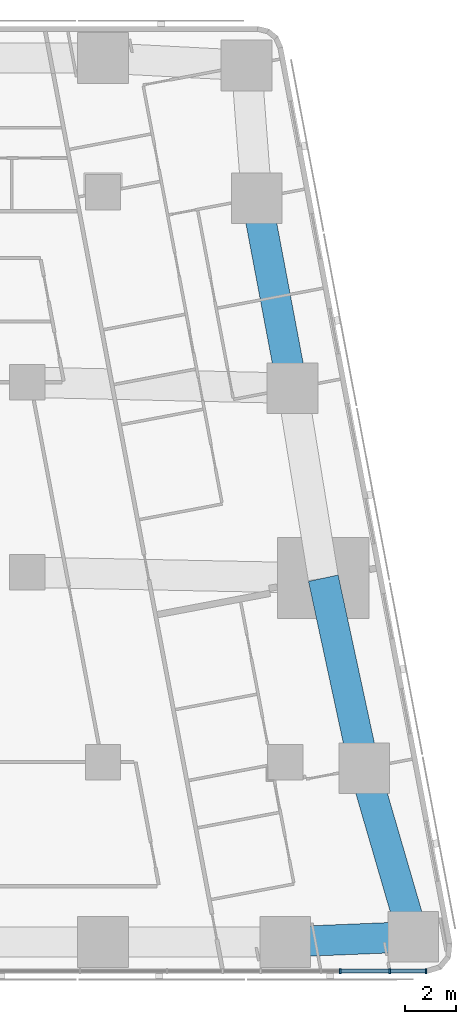
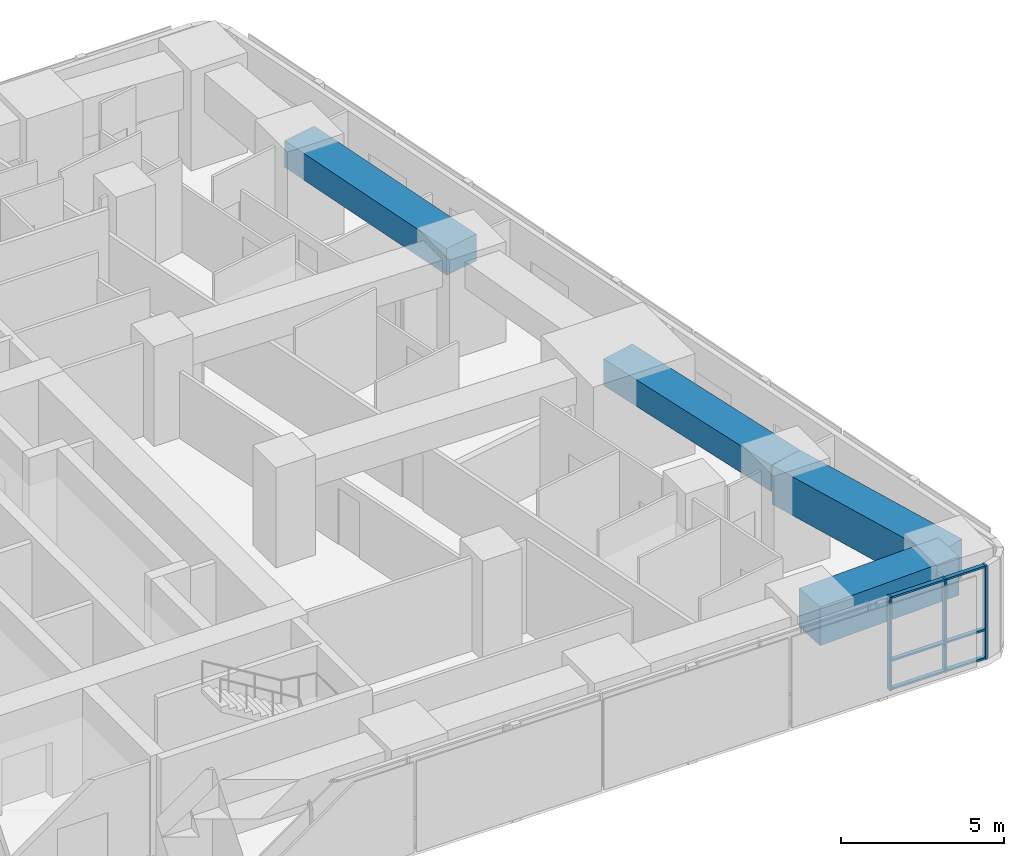
# One storey, part 3 of 10: 9 members, 4 beams, 1 element without a shape of its own.
"""IFC4 building model written with IfcOpenShell, lengths in metres."""

from ifc_helpers import new_model, si_unit, direction, frame, origin, origin_2d, place, context, subcontext, project, spatial, rectangle, extrude, material, material_profile, profile_set, type_object, element, aggregate, save


model = new_model("IFC4")

# Units and contexts
model_context = context("Model", 3, precision=1e-05, world=origin(), true_north=direction((0.0, 1.0)))
body_context = subcontext(model_context, "Body", "Model", "MODEL_VIEW")
ifc_project = project(units=[si_unit("LENGTHUNIT", "METRE"), si_unit("AREAUNIT", "SQUARE_METRE"), si_unit("VOLUMEUNIT", "CUBIC_METRE"), si_unit("PLANEANGLEUNIT", "RADIAN"), si_unit("MASSUNIT", "GRAM", prefix="KILO")], contexts=[model_context])

# Site, building, storey
site_placement = place(None, origin())
site = spatial("IfcSite", under=ifc_project, at=site_placement, CompositionType="ELEMENT")
building_placement = place(site_placement, origin())
building = spatial("IfcBuilding", under=site, at=building_placement, Name="Sheger Commons Tower", CompositionType="ELEMENT")
storey_placement = place(building_placement, frame((0.0, 0.0, 285.35009765625)))
storey = spatial("IfcBuildingStorey", under=building, at=storey_placement, Name="L73", CompositionType="ELEMENT", Elevation=285.35009765625)

# Curtain wall, members
ifc_material_1 = material(Name="Black aluminium curtain wall, dark tinted glazing", Category="aluminium")
curtain_wall_type = type_object("IfcCurtainWallType", Name="CURTAIN WALL CW5 SOUTH GALLERY", PredefinedType="USERDEFINED", material=ifc_material_1)
curtain_wall_placement = place(storey_placement, origin())
curtain_wall = element("IfcCurtainWall", 1, at=curtain_wall_placement, inside=storey, type_object=curtain_wall_type, Name="Curtain Wall Cw5 South Gallery S1 L73", ObjectType="UNITISED CURTAIN WALL", PredefinedType="USERDEFINED")
ifc_material_2 = material(Name="Black anodised aluminium", Category="aluminium")
ifc_material_profile_1 = material_profile(ifc_material_2, rectangle(XDim=0.199951171875, YDim=0.06494140625, at=origin_2d()), Name="AL 65x200")
ifc_profile_set_1 = profile_set([ifc_material_profile_1], Name="Black anodised aluminium")
member_type_1 = type_object("IfcMemberType", Name="MULLION AL 65x200", PredefinedType="MULLION", material=ifc_profile_set_1)
member_1_placement = place(storey_placement, frame((45.364990234375, 6.75, 0.0), z_axis=(0.0, 0.0, 1.0), x_axis=(0.0, 1.0, 0.0)))
member_1 = element("IfcMember", 2, at=member_1_placement, type_object=member_type_1, Name="CW5 mullion 12", PredefinedType="MULLION", context=body_context, shape_type="SweptSolid", body=[
    extrude(rectangle(XDim=0.199951171875, YDim=0.06494140625, at=origin_2d()), origin(), (0.0, 0.0, 1.0), 3.5),
])
member_2_placement = place(storey_placement, frame((47.319091796875, 6.75, 0.0), z_axis=(0.0, 0.0, 1.0), x_axis=(0.0, 1.0, 0.0)))
member_2 = element("IfcMember", 3, at=member_2_placement, type_object=member_type_1, Name="CW5 mullion 13", PredefinedType="MULLION", context=body_context, shape_type="SweptSolid", body=[
    extrude(rectangle(XDim=0.199951171875, YDim=0.06494140625, at=origin_2d()), origin(), (0.0, 0.0, 1.0), 3.5),
])
member_3_placement = place(storey_placement, frame((48.75439453125, 6.75, 0.0), z_axis=(0.0, 0.0, 1.0), x_axis=(0.0, 1.0, 0.0)))
member_3 = element("IfcMember", 4, at=member_3_placement, type_object=member_type_1, Name="CW5 mullion 14", PredefinedType="MULLION", context=body_context, shape_type="SweptSolid", body=[
    extrude(rectangle(XDim=0.199951171875, YDim=0.06494140625, at=origin_2d()), origin(), (0.0, 0.0, 1.0), 3.5),
])

# Beams
ifc_material_3 = material(Name="Concrete C50/60", Category="concrete")
ifc_material_profile_2 = material_profile(ifc_material_3, rectangle(XDim=1.199951171875, YDim=1.0, at=origin_2d()), Name="RC 1200x1000")
ifc_profile_set_2 = profile_set([ifc_material_profile_2], Name="Concrete C50/60")
beam_type_1 = type_object("IfcBeamType", Name="SPANDREL RC 1200x1000", PredefinedType="SPANDREL", material=ifc_profile_set_2)
beam_1_placement = place(storey_placement, frame((46.31396484375, 14.762939453125, 3.0), z_axis=(-0.210750229323, 0.977539943348, 0.0), x_axis=(-0.977539943348, -0.210750229323, 0.0)))
element("IfcBeam", 5, at=beam_1_placement, inside=storey, type_object=beam_type_1, Name="Beam E/C-E/D under L74", PredefinedType="SPANDREL", context=body_context, shape_type="SweptSolid", body=[
    extrude(rectangle(XDim=1.199951171875, YDim=1.0, at=origin_2d()), origin(), (0.0, 0.0, 1.0), 7.67236328125),
])
beam_2_placement = place(storey_placement, frame((43.47998046875, 29.762939453125, 3.0), z_axis=(-0.18552441405, 0.982639655108, 0.0), x_axis=(-0.982639655108, -0.18552441405, 0.0)))
element("IfcBeam", 6, at=beam_2_placement, inside=storey, type_object=beam_type_1, Name="Beam E/E-E/F under L74", PredefinedType="SPANDREL", context=body_context, shape_type="SweptSolid", body=[
    extrude(rectangle(XDim=1.199951171875, YDim=1.0, at=origin_2d()), origin(), (0.0, 0.0, 1.0), 7.632568359375),
])
ifc_material_4 = material(Name="Concrete C50/60", Category="concrete")
ifc_material_profile_3 = material_profile(ifc_material_4, rectangle(XDim=1.199951171875, YDim=1.449951171875, at=origin_2d()), Name="RC 1200x1450")
ifc_profile_set_3 = profile_set([ifc_material_profile_3], Name="Concrete C50/60")
beam_type_2 = type_object("IfcBeamType", Name="SPANDREL RC 1200x1450", PredefinedType="SPANDREL", material=ifc_profile_set_3)
beam_3_placement = place(storey_placement, frame((43.199951171875, 7.89990234375, 2.77490234375), z_axis=(0.999161374218, 0.040945674641, 0.0), x_axis=(-0.040945674641, 0.999161374218, 0.0)))
element("IfcBeam", 7, at=beam_3_placement, inside=storey, type_object=beam_type_2, Name="Beam 7/B-E/B under L74", PredefinedType="SPANDREL", context=body_context, shape_type="SweptSolid", body=[
    extrude(rectangle(XDim=1.199951171875, YDim=1.449951171875, at=origin_2d()), origin(), (0.0, 0.0, 1.0), 5.05615234375),
])
beam_4_placement = place(storey_placement, frame((48.251953125, 8.10693359375, 2.77490234375), z_axis=(-0.279555048455, 0.960129665662, 0.0), x_axis=(-0.960129665662, -0.279555048455, 0.0)))
element("IfcBeam", 8, at=beam_4_placement, inside=storey, type_object=beam_type_2, Name="Beam E/B-E/C under L74", PredefinedType="SPANDREL", context=body_context, shape_type="SweptSolid", body=[
    extrude(rectangle(XDim=1.199951171875, YDim=1.449951171875, at=origin_2d()), origin(), (0.0, 0.0, 1.0), 6.932373046875),
])

# Member
ifc_material_5 = material(Name="Black anodised aluminium", Category="aluminium")
ifc_material_profile_4 = material_profile(ifc_material_5, rectangle(XDim=0.14990234375, YDim=0.06494140625, at=origin_2d()), Name="AL 65x150")
ifc_profile_set_4 = profile_set([ifc_material_profile_4], Name="Black anodised aluminium")
member_type_2 = type_object("IfcMemberType", Name="TRANSOM AL 65x150", PredefinedType="USERDEFINED", material=ifc_profile_set_4)
member_4_placement = place(storey_placement, frame((45.3974609375, 6.75, 0.032470703125), z_axis=(1.0, 0.0, 0.0), x_axis=(0.0, 1.0, 0.0)))
member_4 = element("IfcMember", 9, at=member_4_placement, type_object=member_type_2, Name="CW5 transom 12.1", ObjectType="TRANSOM", PredefinedType="USERDEFINED", context=body_context, shape_type="SweptSolid", body=[
    extrude(rectangle(XDim=0.14990234375, YDim=0.06494140625, at=origin_2d()), origin(), (0.0, 0.0, 1.0), 1.88916015625),
])

member_5_placement = place(storey_placement, frame((45.3974609375, 6.75, 1.099853515625), z_axis=(1.0, 0.0, 0.0), x_axis=(0.0, 1.0, 0.0)))
member_5 = element("IfcMember", 10, at=member_5_placement, type_object=member_type_2, Name="CW5 transom 12.2", ObjectType="TRANSOM", PredefinedType="USERDEFINED", context=body_context, shape_type="SweptSolid", body=[
    extrude(rectangle(XDim=0.14990234375, YDim=0.06494140625, at=origin_2d()), origin(), (0.0, 0.0, 1.0), 1.88916015625),
])

member_6_placement = place(storey_placement, frame((45.3974609375, 6.75, 3.46728515625), z_axis=(1.0, 0.0, 0.0), x_axis=(0.0, 1.0, 0.0)))
member_6 = element("IfcMember", 11, at=member_6_placement, type_object=member_type_2, Name="CW5 transom 12.3", ObjectType="TRANSOM", PredefinedType="USERDEFINED", context=body_context, shape_type="SweptSolid", body=[
    extrude(rectangle(XDim=0.14990234375, YDim=0.06494140625, at=origin_2d()), origin(), (0.0, 0.0, 1.0), 1.88916015625),
])

member_7_placement = place(storey_placement, frame((47.3515625, 6.75, 0.032470703125), z_axis=(1.0, 0.0, 0.0), x_axis=(0.0, 1.0, 0.0)))
member_7 = element("IfcMember", 12, at=member_7_placement, type_object=member_type_2, Name="CW5 transom 13.1", ObjectType="TRANSOM", PredefinedType="USERDEFINED", context=body_context, shape_type="SweptSolid", body=[
    extrude(rectangle(XDim=0.14990234375, YDim=0.06494140625, at=origin_2d()), origin(), (0.0, 0.0, 1.0), 1.370361328125),
])

member_8_placement = place(storey_placement, frame((47.3515625, 6.75, 1.099853515625), z_axis=(1.0, 0.0, 0.0), x_axis=(0.0, 1.0, 0.0)))
member_8 = element("IfcMember", 13, at=member_8_placement, type_object=member_type_2, Name="CW5 transom 13.2", ObjectType="TRANSOM", PredefinedType="USERDEFINED", context=body_context, shape_type="SweptSolid", body=[
    extrude(rectangle(XDim=0.14990234375, YDim=0.06494140625, at=origin_2d()), origin(), (0.0, 0.0, 1.0), 1.370361328125),
])

member_9_placement = place(storey_placement, frame((47.3515625, 6.75, 3.46728515625), z_axis=(1.0, 0.0, 0.0), x_axis=(0.0, 1.0, 0.0)))
member_9 = element("IfcMember", 14, at=member_9_placement, type_object=member_type_2, Name="CW5 transom 13.3", ObjectType="TRANSOM", PredefinedType="USERDEFINED", context=body_context, shape_type="SweptSolid", body=[
    extrude(rectangle(XDim=0.14990234375, YDim=0.06494140625, at=origin_2d()), origin(), (0.0, 0.0, 1.0), 1.370361328125),
])

aggregate(curtain_wall, [member_1, member_2, member_3, member_4, member_5, member_6, member_7, member_8, member_9])

save(model, "model.ifc")
